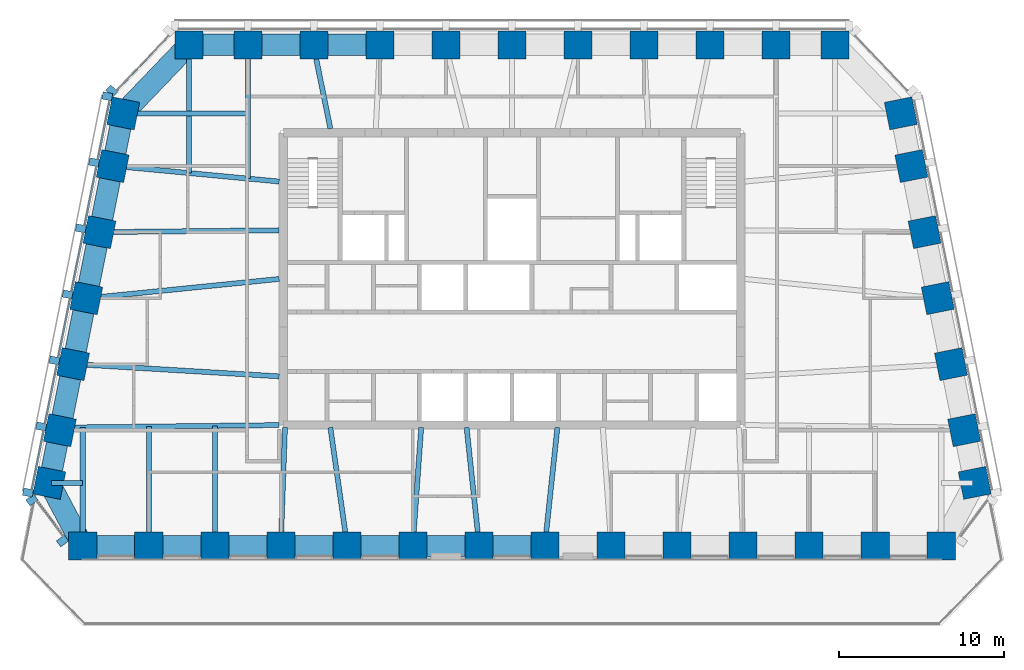
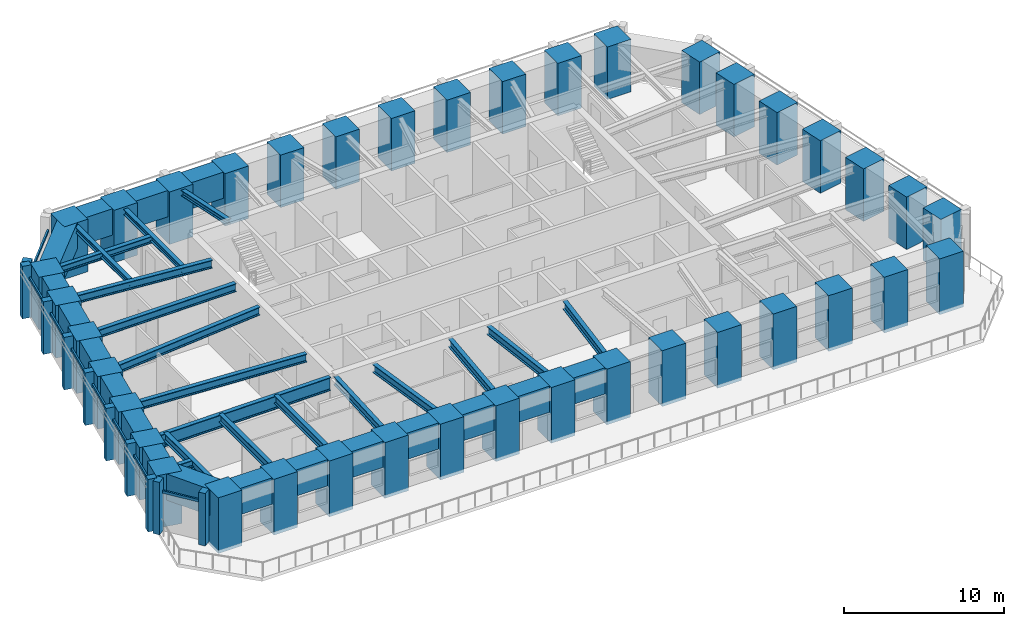
# One storey, part 1 of 10: 39 columns, 36 beams, 18 members, 3 elements without a shape of their own.
"""IFC4 building model written with IfcOpenShell, lengths in metres."""

from ifc_helpers import new_model, si_unit, direction, frame, origin, origin_2d, place, context, subcontext, project, spatial, rectangle, i_section, extrude, material, material_profile, profile_set, type_object, element, aggregate, save


model = new_model("IFC4")

# Units and contexts
model_context = context("Model", 3, precision=1e-05, world=origin(), true_north=direction((0.0, 1.0)))
body_context = subcontext(model_context, "Body", "Model", "MODEL_VIEW")
ifc_project = project(units=[si_unit("LENGTHUNIT", "METRE"), si_unit("AREAUNIT", "SQUARE_METRE"), si_unit("VOLUMEUNIT", "CUBIC_METRE"), si_unit("PLANEANGLEUNIT", "RADIAN"), si_unit("MASSUNIT", "GRAM", prefix="KILO")], contexts=[model_context])

# Site, building, storey
site_placement = place(None, origin())
site = spatial("IfcSite", under=ifc_project, at=site_placement, CompositionType="ELEMENT")
building_placement = place(site_placement, origin())
building = spatial("IfcBuilding", under=site, at=building_placement, Name="Isbrekke Arena Tower", CompositionType="ELEMENT")
storey_placement = place(building_placement, frame((0.0, 0.0, 296.0)))
storey = spatial("IfcBuildingStorey", under=building, at=storey_placement, Name="L69", CompositionType="ELEMENT", Elevation=296.0)

# Columns
ifc_material_1 = material(Name="Concrete B55 (C55/67)", Category="concrete")
ifc_material_profile_1 = material_profile(ifc_material_1, rectangle(XDim=1.699951171875, YDim=1.699951171875, at=origin_2d()), Name="RC 1700x1700")
ifc_profile_set_1 = profile_set([ifc_material_profile_1], Name="Concrete B55 (C55/67)")
column_type = type_object("IfcColumnType", Name="C5 RC 1700 x 1700", PredefinedType="COLUMN", material=ifc_profile_set_1)
for number, where, z_axis, x_axis, name in (
    (1, (-26.0, -1.175048828125, -0.25), (0.0, 0.0, 1.0), (1.0, 0.0, 0.0), "C5 S01"),
    (2, (-22.0, -1.175048828125, -0.25), (0.0, 0.0, 1.0), (1.0, 0.0, 0.0), "C5 S02"),
    (3, (-18.0, -1.175048828125, -0.25), (0.0, 0.0, 1.0), (1.0, 0.0, 0.0), "C5 S03"),
    (4, (-14.0, -1.175048828125, -0.25), (0.0, 0.0, 1.0), (1.0, 0.0, 0.0), "C5 S04"),
    (5, (-10.0, -1.175048828125, -0.25), (0.0, 0.0, 1.0), (1.0, 0.0, 0.0), "C5 S05"),
    (6, (-6.0, -1.175048828125, -0.25), (0.0, 0.0, 1.0), (1.0, 0.0, 0.0), "C5 S06"),
    (7, (-2.0, -1.175048828125, -0.25), (0.0, 0.0, 1.0), (1.0, 0.0, 0.0), "C5 S07"),
    (8, (2.0, -1.175048828125, -0.25), (0.0, 0.0, 1.0), (1.0, 0.0, 0.0), "C5 S08"),
    (9, (6.0, -1.175048828125, -0.25), (0.0, 0.0, 1.0), (1.0, 0.0, 0.0), "C5 S09"),
    (10, (10.0, -1.175048828125, -0.25), (0.0, 0.0, 1.0), (1.0, 0.0, 0.0), "C5 S10"),
    (11, (14.0, -1.175048828125, -0.25), (0.0, 0.0, 1.0), (1.0, 0.0, 0.0), "C5 S11"),
    (12, (18.0, -1.175048828125, -0.25), (0.0, 0.0, 1.0), (1.0, 0.0, 0.0), "C5 S12"),
    (13, (22.0, -1.175048828125, -0.25), (0.0, 0.0, 1.0), (1.0, 0.0, 0.0), "C5 S13"),
    (14, (26.0, -1.175048828125, -0.25), (0.0, 0.0, 1.0), (1.0, 0.0, 0.0), "C5 S14"),
):
    element("IfcColumn", number, at=place(storey_placement, frame(where, z_axis=z_axis, x_axis=x_axis)), inside=storey, type_object=column_type, Name=name, PredefinedType="COLUMN", context=body_context, shape_type="SweptSolid", body=[
        extrude(rectangle(XDim=1.699951171875, YDim=1.699951171875, at=origin_2d()), origin(), (0.0, 0.0, 1.0), 4.25),
    ])
for number, where, z_axis, x_axis, name in (
    (15, (28.029296875, 2.647216796875, 0.0), (0.0, 0.0, 1.0), (-0.196116135138, 0.980580675691, 0.0), "C5 E01"),
    (16, (27.39111328125, 5.838134765625, 0.0), (0.0, 0.0, 1.0), (-0.196116135138, 0.980580675691, 0.0), "C5 E02"),
    (17, (26.591064453125, 9.838134765625, 0.0), (0.0, 0.0, 1.0), (-0.196116135138, 0.980580675691, 0.0), "C5 E03"),
    (18, (25.791015625, 13.838134765625, 0.0), (0.0, 0.0, 1.0), (-0.196116135138, 0.980580675691, 0.0), "C5 E04"),
    (19, (24.990966796875, 17.838134765625, 0.0), (0.0, 0.0, 1.0), (-0.196116135138, 0.980580675691, 0.0), "C5 E05"),
    (20, (24.19091796875, 21.838134765625, 0.0), (0.0, 0.0, 1.0), (-0.196116135138, 0.980580675691, 0.0), "C5 E06"),
    (21, (23.552734375, 25.029296875, 0.0), (0.0, 0.0, 1.0), (-0.196116135138, 0.980580675691, 0.0), "C5 E07"),
    (22, (19.574951171875, 29.175048828125, 0.0), (0.0, 0.0, 1.0), (-1.0, 0.0, 0.0), "C5 N01"),
    (23, (16.0, 29.175048828125, 0.0), (0.0, 0.0, 1.0), (-1.0, 0.0, 0.0), "C5 N02"),
    (24, (12.0, 29.175048828125, 0.0), (0.0, 0.0, 1.0), (-1.0, 0.0, 0.0), "C5 N03"),
    (25, (8.0, 29.175048828125, 0.0), (0.0, 0.0, 1.0), (-1.0, 0.0, 0.0), "C5 N04"),
    (26, (4.0, 29.175048828125, 0.0), (0.0, 0.0, 1.0), (-1.0, 0.0, 0.0), "C5 N05"),
    (27, (0.0, 29.175048828125, 0.0), (0.0, 0.0, 1.0), (-1.0, 0.0, 0.0), "C5 N06"),
    (28, (-4.0, 29.175048828125, 0.0), (0.0, 0.0, 1.0), (-1.0, 0.0, 0.0), "C5 N07"),
    (29, (-8.0, 29.175048828125, 0.0), (0.0, 0.0, 1.0), (-1.0, 0.0, 0.0), "C5 N08"),
    (30, (-12.0, 29.175048828125, 0.0), (0.0, 0.0, 1.0), (-1.0, 0.0, 0.0), "C5 N09"),
    (31, (-16.0, 29.175048828125, 0.0), (0.0, 0.0, 1.0), (-1.0, 0.0, 0.0), "C5 N10"),
    (32, (-19.574951171875, 29.175048828125, 0.0), (0.0, 0.0, 1.0), (-1.0, 0.0, 0.0), "C5 N11"),
    (33, (-23.552734375, 25.029296875, 0.0), (0.0, 0.0, 1.0), (-0.196116135138, -0.980580675691, 0.0), "C5 W01"),
    (34, (-24.19091796875, 21.838134765625, 0.0), (0.0, 0.0, 1.0), (-0.196116135138, -0.980580675691, 0.0), "C5 W02"),
    (35, (-24.990966796875, 17.838134765625, 0.0), (0.0, 0.0, 1.0), (-0.196116135138, -0.980580675691, 0.0), "C5 W03"),
    (36, (-25.791015625, 13.838134765625, 0.0), (0.0, 0.0, 1.0), (-0.196116135138, -0.980580675691, 0.0), "C5 W04"),
    (37, (-26.591064453125, 9.838134765625, 0.0), (0.0, 0.0, 1.0), (-0.196116135138, -0.980580675691, 0.0), "C5 W05"),
    (38, (-27.39111328125, 5.838134765625, 0.0), (0.0, 0.0, 1.0), (-0.196116135138, -0.980580675691, 0.0), "C5 W06"),
    (39, (-28.029296875, 2.647216796875, 0.0), (0.0, 0.0, 1.0), (-0.196116135138, -0.980580675691, 0.0), "C5 W07"),
):
    element("IfcColumn", number, at=place(storey_placement, frame(where, z_axis=z_axis, x_axis=x_axis)), inside=storey, type_object=column_type, Name=name, PredefinedType="COLUMN", context=body_context, shape_type="SweptSolid", body=[
        extrude(rectangle(XDim=1.699951171875, YDim=1.699951171875, at=origin_2d()), origin(), (0.0, 0.0, 1.0), 4.0),
    ])

# Beams
ifc_material_2 = material(Name="Steel S355", Category="steel")
ifc_material_profile_2 = material_profile(ifc_material_2, i_section(OverallWidth=0.304931640625, OverallDepth=0.6201171875, WebThickness=0.02099609375, FlangeThickness=0.0400390625, FilletRadius=0.027099609375, at=origin_2d()), Name="HEM 600")
ifc_profile_set_2 = profile_set([ifc_material_profile_2], Name="Steel S355")
beam_type_1 = type_object("IfcBeamType", Name="B4 HEM 600", PredefinedType="BEAM", material=ifc_profile_set_2)
beam_1_placement = place(storey_placement, frame((-26.0, -1.02490234375, 3.5400390625), z_axis=(0.0, 1.0, 0.0), x_axis=(-1.0, 0.0, 0.0)))
element("IfcBeam", 40, at=beam_1_placement, inside=storey, type_object=beam_type_1, Name="B4 beam C-S01 L69", PredefinedType="BEAM", context=body_context, shape_type="SweptSolid", body=[
    extrude(i_section(OverallWidth=0.304931640625, OverallDepth=0.6201171875, WebThickness=0.02099609375, FlangeThickness=0.0400390625, FilletRadius=0.027099609375, at=origin_2d()), origin(), (0.0, 0.0, 1.0), 7.04052734375),
])
beam_2_placement = place(storey_placement, frame((-22.0, -1.02490234375, 3.5400390625), z_axis=(0.0, 1.0, 0.0), x_axis=(-1.0, 0.0, 0.0)))
element("IfcBeam", 41, at=beam_2_placement, inside=storey, type_object=beam_type_1, Name="B4 beam C-S02 L69", PredefinedType="BEAM", context=body_context, shape_type="SweptSolid", body=[
    extrude(i_section(OverallWidth=0.304931640625, OverallDepth=0.6201171875, WebThickness=0.02099609375, FlangeThickness=0.0400390625, FilletRadius=0.027099609375, at=origin_2d()), origin(), (0.0, 0.0, 1.0), 7.085693359375),
])
beam_3_placement = place(storey_placement, frame((-18.0, -1.02490234375, 3.5400390625), z_axis=(0.0, 1.0, 0.0), x_axis=(-1.0, 0.0, 0.0)))
element("IfcBeam", 42, at=beam_3_placement, inside=storey, type_object=beam_type_1, Name="B4 beam C-S03 L69", PredefinedType="BEAM", context=body_context, shape_type="SweptSolid", body=[
    extrude(i_section(OverallWidth=0.304931640625, OverallDepth=0.6201171875, WebThickness=0.02099609375, FlangeThickness=0.0400390625, FilletRadius=0.027099609375, at=origin_2d()), origin(), (0.0, 0.0, 1.0), 7.130859375),
])
beam_4_placement = place(storey_placement, frame((-13.999755859375, -1.01953125, 3.5400390625), z_axis=(0.035557633654, 0.999367627397, 0.0), x_axis=(-0.999367627397, 0.035557633654, 0.0)))
element("IfcBeam", 43, at=beam_4_placement, inside=storey, type_object=beam_type_1, Name="B4 beam C-S04 L69", PredefinedType="BEAM", context=body_context, shape_type="SweptSolid", body=[
    extrude(i_section(OverallWidth=0.304931640625, OverallDepth=0.6201171875, WebThickness=0.02099609375, FlangeThickness=0.0400390625, FilletRadius=0.027099609375, at=origin_2d()), origin(), (0.0, 0.0, 1.0), 7.02392578125),
])
beam_5_placement = place(storey_placement, frame((-10.0029296875, -1.003662109375, 3.5400390625), z_axis=(-0.140943016954, 0.990017709928, 0.0), x_axis=(-0.990017709928, -0.140943016954, 0.0)))
element("IfcBeam", 44, at=beam_5_placement, inside=storey, type_object=beam_type_1, Name="B4 beam C-S05 L69", PredefinedType="BEAM", context=body_context, shape_type="SweptSolid", body=[
    extrude(i_section(OverallWidth=0.304931640625, OverallDepth=0.6201171875, WebThickness=0.02099609375, FlangeThickness=0.0400390625, FilletRadius=0.027099609375, at=origin_2d()), origin(), (0.0, 0.0, 1.0), 7.07421875),
])
beam_6_placement = place(storey_placement, frame((-5.999267578125, -1.01416015625, 3.5400390625), z_axis=(0.071000313941, 0.997476293162, 0.0), x_axis=(-0.997476293162, 0.071000313941, 0.0)))
element("IfcBeam", 45, at=beam_6_placement, inside=storey, type_object=beam_type_1, Name="B4 beam C-S06 L69", PredefinedType="BEAM", context=body_context, shape_type="SweptSolid", body=[
    extrude(i_section(OverallWidth=0.304931640625, OverallDepth=0.6201171875, WebThickness=0.02099609375, FlangeThickness=0.0400390625, FilletRadius=0.027099609375, at=origin_2d()), origin(), (0.0, 0.0, 1.0), 7.031982421875),
])
for number, where, z_axis, x_axis, name in (
    (46, (-2.001708984375, -1.0087890625, 3.5400390625), (-0.106161329105, 0.994348918742, 0.0), (-0.994348918742, -0.106161329105, 0.0), "B4 beam C-S07 L69"),
    (47, (2.001708984375, -1.0087890625, 3.5400390625), (0.106161329105, 0.994348918742, 0.0), (-0.994348918742, 0.106161329105, 0.0), "B4 beam C-S08 L69"),
):
    element("IfcBeam", number, at=place(storey_placement, frame(where, z_axis=z_axis, x_axis=x_axis)), inside=storey, type_object=beam_type_1, Name=name, PredefinedType="BEAM", context=body_context, shape_type="SweptSolid", body=[
        extrude(i_section(OverallWidth=0.304931640625, OverallDepth=0.6201171875, WebThickness=0.02099609375, FlangeThickness=0.0400390625, FilletRadius=0.027099609375, at=origin_2d()), origin(), (0.0, 0.0, 1.0), 7.048583984375),
    ])
beam_7_placement = place(storey_placement, frame((-24.02685546875, 21.8369140625, 3.5400390625), z_axis=(0.995574576627, -0.093974796485, 0.0), x_axis=(0.093974796485, 0.995574576627, 0.0)))
element("IfcBeam", 48, at=beam_7_placement, inside=storey, type_object=beam_type_1, Name="B4 beam E-W02 L69", PredefinedType="BEAM", context=body_context, shape_type="SweptSolid", body=[
    extrude(i_section(OverallWidth=0.304931640625, OverallDepth=0.6201171875, WebThickness=0.02099609375, FlangeThickness=0.0400390625, FilletRadius=0.027099609375, at=origin_2d()), origin(), (0.0, 0.0, 1.0), 9.970947265625),
])
beam_8_placement = place(storey_placement, frame((-24.83935546875, 17.838134765625, 3.5400390625), z_axis=(0.999945800258, 0.010411366203, 0.0), x_axis=(-0.010411366203, 0.999945800258, 0.0)))
element("IfcBeam", 49, at=beam_8_placement, inside=storey, type_object=beam_type_1, Name="B4 beam E-W03 L69", PredefinedType="BEAM", context=body_context, shape_type="SweptSolid", body=[
    extrude(i_section(OverallWidth=0.304931640625, OverallDepth=0.6201171875, WebThickness=0.02099609375, FlangeThickness=0.0400390625, FilletRadius=0.027099609375, at=origin_2d()), origin(), (0.0, 0.0, 1.0), 10.73974609375),
])
beam_9_placement = place(storey_placement, frame((-25.625732421875, 13.83984375, 3.5400390625), z_axis=(0.994972081505, 0.100152668587, 0.0), x_axis=(-0.100152668587, 0.994972081505, 0.0)))
element("IfcBeam", 50, at=beam_9_placement, inside=storey, type_object=beam_type_1, Name="B4 beam E-W04 L69", PredefinedType="BEAM", context=body_context, shape_type="SweptSolid", body=[
    extrude(i_section(OverallWidth=0.304931640625, OverallDepth=0.6201171875, WebThickness=0.02099609375, FlangeThickness=0.0400390625, FilletRadius=0.027099609375, at=origin_2d()), origin(), (0.0, 0.0, 1.0), 11.583984375),
])
beam_10_placement = place(storey_placement, frame((-26.431884765625, 9.837646484375, 3.5400390625), z_axis=(0.998216240514, -0.059702070095, 0.0), x_axis=(0.059702070095, 0.998216240514, 0.0)))
element("IfcBeam", 51, at=beam_10_placement, inside=storey, type_object=beam_type_1, Name="B4 beam E-W05 L69", PredefinedType="BEAM", context=body_context, shape_type="SweptSolid", body=[
    extrude(i_section(OverallWidth=0.304931640625, OverallDepth=0.6201171875, WebThickness=0.02099609375, FlangeThickness=0.0400390625, FilletRadius=0.027099609375, at=origin_2d()), origin(), (0.0, 0.0, 1.0), 12.353759765625),
])
ifc_material_3 = material(Name="Steel S355", Category="steel")
ifc_material_profile_3 = material_profile(ifc_material_3, i_section(OverallWidth=0.305908203125, OverallDepth=0.52392578125, WebThickness=0.02099609375, FlangeThickness=0.0400390625, FilletRadius=0.027099609375, at=origin_2d()), Name="HEM 500")
ifc_profile_set_3 = profile_set([ifc_material_profile_3], Name="Steel S355")
beam_type_2 = type_object("IfcBeamType", Name="B5 HEM 500", PredefinedType="BEAM", material=ifc_profile_set_3)
beam_11_placement = place(storey_placement, frame((-27.879150390625, 2.647216796875, 3.587890625), z_axis=(1.0, 0.0, 0.0), x_axis=(0.0, 1.0, 0.0)))
element("IfcBeam", 52, at=beam_11_placement, inside=storey, type_object=beam_type_2, Name="B5 beam E-W07 L69", PredefinedType="BEAM", context=body_context, shape_type="SweptSolid", body=[
    extrude(i_section(OverallWidth=0.305908203125, OverallDepth=0.52392578125, WebThickness=0.02099609375, FlangeThickness=0.0400390625, FilletRadius=0.027099609375, at=origin_2d()), origin(), (0.0, 0.0, 1.0), 1.879150390625),
])
beam_12_placement = place(storey_placement, frame((-23.40283203125, 25.029296875, 3.587890625), z_axis=(1.0, 0.0, 0.0), x_axis=(0.0, 1.0, 0.0)))
element("IfcBeam", 53, at=beam_12_placement, inside=storey, type_object=beam_type_2, Name="B5 beam E-W01 L69", PredefinedType="BEAM", context=body_context, shape_type="SweptSolid", body=[
    extrude(i_section(OverallWidth=0.305908203125, OverallDepth=0.52392578125, WebThickness=0.02099609375, FlangeThickness=0.0400390625, FilletRadius=0.027099609375, at=origin_2d()), origin(), (0.0, 0.0, 1.0), 7.40283203125),
])
ifc_material_4 = material(Name="Steel S355", Category="steel")
ifc_material_profile_4 = material_profile(ifc_material_4, i_section(OverallWidth=0.306884765625, OverallDepth=0.431884765625, WebThickness=0.02099609375, FlangeThickness=0.0400390625, FilletRadius=0.027099609375, at=origin_2d()), Name="HEM 400")
ifc_profile_set_4 = profile_set([ifc_material_profile_4], Name="Steel S355")
beam_type_3 = type_object("IfcBeamType", Name="B6 HEM 400", PredefinedType="BEAM", material=ifc_profile_set_4)
beam_13_placement = place(storey_placement, frame((-16.0, 29.02490234375, 3.634033203125), z_axis=(0.0, -1.0, 0.0), x_axis=(1.0, 0.0, 0.0)))
element("IfcBeam", 54, at=beam_13_placement, inside=storey, type_object=beam_type_3, Name="B6 beam N-N10 L69", PredefinedType="BEAM", context=body_context, shape_type="SweptSolid", body=[
    extrude(i_section(OverallWidth=0.306884765625, OverallDepth=0.431884765625, WebThickness=0.02099609375, FlangeThickness=0.0400390625, FilletRadius=0.027099609375, at=origin_2d()), origin(), (0.0, 0.0, 1.0), 7.945556640625),
])
beam_14_placement = place(storey_placement, frame((-19.574951171875, 29.02490234375, 3.634033203125), z_axis=(0.0, -1.0, 0.0), x_axis=(1.0, 0.0, 0.0)))
element("IfcBeam", 55, at=beam_14_placement, inside=storey, type_object=beam_type_3, Name="B6 beam N-N11 L69", PredefinedType="BEAM", context=body_context, shape_type="SweptSolid", body=[
    extrude(i_section(OverallWidth=0.306884765625, OverallDepth=0.431884765625, WebThickness=0.02099609375, FlangeThickness=0.0400390625, FilletRadius=0.027099609375, at=origin_2d()), origin(), (0.0, 0.0, 1.0), 7.608154296875),
])
beam_15_placement = place(storey_placement, frame((-11.993896484375, 28.9951171875, 3.634033203125), z_axis=(0.198982177337, -0.980003108721, 0.0), x_axis=(0.980003108721, 0.198982177337, 0.0)))
element("IfcBeam", 56, at=beam_15_placement, inside=storey, type_object=beam_type_3, Name="B6 beam N-N09 L69", PredefinedType="BEAM", context=body_context, shape_type="SweptSolid", body=[
    extrude(i_section(OverallWidth=0.306884765625, OverallDepth=0.431884765625, WebThickness=0.02099609375, FlangeThickness=0.0400390625, FilletRadius=0.027099609375, at=origin_2d()), origin(), (0.0, 0.0, 1.0), 4.994873046875),
])

# Curtain wall, member
ifc_material_5 = material(Name="Glazed aluminium curtain wall", Category="aluminium")
curtain_wall_type = type_object("IfcCurtainWallType", Name="CWT TOWER CURTAIN WALL TOP ZONE", PredefinedType="USERDEFINED", material=ifc_material_5)
curtain_wall_1_placement = place(storey_placement, origin())
curtain_wall_1 = element("IfcCurtainWall", 57, at=curtain_wall_1_placement, inside=storey, type_object=curtain_wall_type, Name="CWT curtain wall L69-NW", ObjectType="TOWER CURTAIN WALL TOP ZONE", PredefinedType="USERDEFINED")
ifc_material_6 = material(Name="Copper-clad aluminium mullion", Category="aluminium")
ifc_material_profile_5 = material_profile(ifc_material_6, rectangle(XDim=0.449951171875, YDim=0.60009765625, at=origin_2d()), Name="PIER 450X600")
ifc_profile_set_5 = profile_set([ifc_material_profile_5], Name="Copper-clad aluminium mullion")
member_type_1 = type_object("IfcMemberType", Name="CWT-M PIER MULLION 450 x 600", PredefinedType="MULLION", material=ifc_profile_set_5)
member_1_placement = place(storey_placement, frame((-24.243896484375, 26.389404296875, 0.0), z_axis=(0.0, 0.0, 1.0), x_axis=(-0.68874946192, -0.72499943359, 0.0)))
member_1 = element("IfcMember", 58, at=member_1_placement, type_object=member_type_1, Name="CWT-M mullion 2", PredefinedType="MULLION", context=body_context, shape_type="SweptSolid", body=[
    extrude(rectangle(XDim=0.449951171875, YDim=0.60009765625, at=origin_2d()), origin(), (0.0, 0.0, 1.0), 4.0),
])

# Curtain wall, members
curtain_wall_2_placement = place(storey_placement, origin())
curtain_wall_2 = element("IfcCurtainWall", 59, at=curtain_wall_2_placement, inside=storey, type_object=curtain_wall_type, Name="CWT curtain wall L69-W", ObjectType="TOWER CURTAIN WALL TOP ZONE", PredefinedType="USERDEFINED")
member_2_placement = place(storey_placement, frame((-24.518798828125, 26.063720703125, 0.0), z_axis=(0.0, 0.0, 1.0), x_axis=(-0.196116135138, -0.980580675691, 0.0)))
member_2 = element("IfcMember", 60, at=member_2_placement, type_object=member_type_1, Name="CWT-M mullion 1", PredefinedType="MULLION", context=body_context, shape_type="SweptSolid", body=[
    extrude(rectangle(XDim=0.449951171875, YDim=0.60009765625, at=origin_2d()), origin(), (0.0, 0.0, 1.0), 4.0),
])
member_3_placement = place(storey_placement, frame((-25.318603515625, 22.063720703125, 0.0), z_axis=(0.0, 0.0, 1.0), x_axis=(-0.196116135138, -0.980580675691, 0.0)))
member_3 = element("IfcMember", 61, at=member_3_placement, type_object=member_type_1, Name="CWT-M mullion 2", PredefinedType="MULLION", context=body_context, shape_type="SweptSolid", body=[
    extrude(rectangle(XDim=0.449951171875, YDim=0.60009765625, at=origin_2d()), origin(), (0.0, 0.0, 1.0), 4.0),
])
member_4_placement = place(storey_placement, frame((-26.11865234375, 18.063720703125, 0.0), z_axis=(0.0, 0.0, 1.0), x_axis=(-0.196116135138, -0.980580675691, 0.0)))
member_4 = element("IfcMember", 62, at=member_4_placement, type_object=member_type_1, Name="CWT-M mullion 3", PredefinedType="MULLION", context=body_context, shape_type="SweptSolid", body=[
    extrude(rectangle(XDim=0.449951171875, YDim=0.60009765625, at=origin_2d()), origin(), (0.0, 0.0, 1.0), 4.0),
])
member_5_placement = place(storey_placement, frame((-26.918701171875, 14.063720703125, 0.0), z_axis=(0.0, 0.0, 1.0), x_axis=(-0.196116135138, -0.980580675691, 0.0)))
member_5 = element("IfcMember", 63, at=member_5_placement, type_object=member_type_1, Name="CWT-M mullion 4", PredefinedType="MULLION", context=body_context, shape_type="SweptSolid", body=[
    extrude(rectangle(XDim=0.449951171875, YDim=0.60009765625, at=origin_2d()), origin(), (0.0, 0.0, 1.0), 4.0),
])
member_6_placement = place(storey_placement, frame((-27.71875, 10.063720703125, 0.0), z_axis=(0.0, 0.0, 1.0), x_axis=(-0.196116135138, -0.980580675691, 0.0)))
member_6 = element("IfcMember", 64, at=member_6_placement, type_object=member_type_1, Name="CWT-M mullion 5", PredefinedType="MULLION", context=body_context, shape_type="SweptSolid", body=[
    extrude(rectangle(XDim=0.449951171875, YDim=0.60009765625, at=origin_2d()), origin(), (0.0, 0.0, 1.0), 4.0),
])
member_7_placement = place(storey_placement, frame((-28.518798828125, 6.063720703125, 0.0), z_axis=(0.0, 0.0, 1.0), x_axis=(-0.196116135138, -0.980580675691, 0.0)))
member_7 = element("IfcMember", 65, at=member_7_placement, type_object=member_type_1, Name="CWT-M mullion 6", PredefinedType="MULLION", context=body_context, shape_type="SweptSolid", body=[
    extrude(rectangle(XDim=0.449951171875, YDim=0.60009765625, at=origin_2d()), origin(), (0.0, 0.0, 1.0), 4.0),
])
member_8_placement = place(storey_placement, frame((-29.318603515625, 2.063720703125, 0.0), z_axis=(0.0, 0.0, 1.0), x_axis=(-0.196116135138, -0.980580675691, 0.0)))
member_8 = element("IfcMember", 66, at=member_8_placement, type_object=member_type_1, Name="CWT-M mullion 7", PredefinedType="MULLION", context=body_context, shape_type="SweptSolid", body=[
    extrude(rectangle(XDim=0.449951171875, YDim=0.60009765625, at=origin_2d()), origin(), (0.0, 0.0, 1.0), 4.0),
])

curtain_wall_3_placement = place(storey_placement, origin())
curtain_wall_3 = element("IfcCurtainWall", 67, at=curtain_wall_3_placement, inside=storey, type_object=curtain_wall_type, Name="CWT curtain wall L69-WS", ObjectType="TOWER CURTAIN WALL TOP ZONE", PredefinedType="USERDEFINED")
member_9_placement = place(storey_placement, frame((-29.08447265625, 1.612548828125, 0.0), z_axis=(0.0, 0.0, 1.0), x_axis=(0.600000000002, -0.799999999998, 0.0)))
member_9 = element("IfcMember", 68, at=member_9_placement, type_object=member_type_1, Name="CWT-M mullion 1", PredefinedType="MULLION", context=body_context, shape_type="SweptSolid", body=[
    extrude(rectangle(XDim=0.449951171875, YDim=0.60009765625, at=origin_2d()), origin(), (0.0, 0.0, 1.0), 4.0),
])
member_10_placement = place(storey_placement, frame((-27.222412109375, -0.8701171875, 0.0), z_axis=(0.0, 0.0, 1.0), x_axis=(0.600000000002, -0.799999999998, 0.0)))
member_10 = element("IfcMember", 69, at=member_10_placement, type_object=member_type_1, Name="CWT-M mullion 2", PredefinedType="MULLION", context=body_context, shape_type="SweptSolid", body=[
    extrude(rectangle(XDim=0.449951171875, YDim=0.60009765625, at=origin_2d()), origin(), (0.0, 0.0, 1.0), 4.0),
])

# Member
ifc_material_7 = material(Name="Aluminium transom", Category="aluminium")
ifc_material_profile_6 = material_profile(ifc_material_7, rectangle(XDim=0.1201171875, YDim=0.199951171875, at=origin_2d()), Name="TRANSOM 120X200")
ifc_profile_set_6 = profile_set([ifc_material_profile_6], Name="Aluminium transom")
member_type_2 = type_object("IfcMemberType", Name="CWT-T TRANSOM 120 x 200", PredefinedType="USERDEFINED", material=ifc_profile_set_6)
member_11_placement = place(storey_placement, frame((-20.80517578125, 29.71875, 3.0), z_axis=(-0.688739606035, -0.725008796552, 0.0), x_axis=(0.725008796552, -0.688739606035, 0.0)))
member_11 = element("IfcMember", 70, at=member_11_placement, type_object=member_type_2, Name="CWT-T transom 1", ObjectType="TRANSOM", PredefinedType="USERDEFINED", context=body_context, shape_type="SweptSolid", body=[
    extrude(rectangle(XDim=0.1201171875, YDim=0.199951171875, at=origin_2d()), origin(), (0.0, 0.0, 1.0), 4.55712890625),
])

aggregate(curtain_wall_1, [member_1, member_11])

member_12_placement = place(storey_placement, frame((-24.36669921875, 25.803955078125, 3.0), z_axis=(-0.196090262229, -0.980585849918, 0.0), x_axis=(0.980585849918, -0.196090262229, 0.0)))
member_12 = element("IfcMember", 71, at=member_12_placement, type_object=member_type_2, Name="CWT-T transom 1", ObjectType="TRANSOM", PredefinedType="USERDEFINED", context=body_context, shape_type="SweptSolid", body=[
    extrude(rectangle(XDim=0.1201171875, YDim=0.199951171875, at=origin_2d()), origin(), (0.0, 0.0, 1.0), 3.62939453125),
])

member_13_placement = place(storey_placement, frame((-25.166748046875, 21.803955078125, 3.0), z_axis=(-0.196090262229, -0.980585849918, 0.0), x_axis=(0.980585849918, -0.196090262229, 0.0)))
member_13 = element("IfcMember", 72, at=member_13_placement, type_object=member_type_2, Name="CWT-T transom 2", ObjectType="TRANSOM", PredefinedType="USERDEFINED", context=body_context, shape_type="SweptSolid", body=[
    extrude(rectangle(XDim=0.1201171875, YDim=0.199951171875, at=origin_2d()), origin(), (0.0, 0.0, 1.0), 3.62939453125),
])

member_14_placement = place(storey_placement, frame((-25.966796875, 17.803955078125, 3.0), z_axis=(-0.196090262229, -0.980585849918, 0.0), x_axis=(0.980585849918, -0.196090262229, 0.0)))
member_14 = element("IfcMember", 73, at=member_14_placement, type_object=member_type_2, Name="CWT-T transom 3", ObjectType="TRANSOM", PredefinedType="USERDEFINED", context=body_context, shape_type="SweptSolid", body=[
    extrude(rectangle(XDim=0.1201171875, YDim=0.199951171875, at=origin_2d()), origin(), (0.0, 0.0, 1.0), 3.62939453125),
])

member_15_placement = place(storey_placement, frame((-26.7666015625, 13.803955078125, 3.0), z_axis=(-0.196154943734, -0.980572913173, 0.0), x_axis=(0.980572913173, -0.196154943734, 0.0)))
member_15 = element("IfcMember", 74, at=member_15_placement, type_object=member_type_2, Name="CWT-T transom 4", ObjectType="TRANSOM", PredefinedType="USERDEFINED", context=body_context, shape_type="SweptSolid", body=[
    extrude(rectangle(XDim=0.1201171875, YDim=0.199951171875, at=origin_2d()), origin(), (0.0, 0.0, 1.0), 3.62939453125),
])

member_16_placement = place(storey_placement, frame((-27.566650390625, 9.803955078125, 3.0), z_axis=(-0.196154943734, -0.980572913173, 0.0), x_axis=(0.980572913173, -0.196154943734, 0.0)))
member_16 = element("IfcMember", 75, at=member_16_placement, type_object=member_type_2, Name="CWT-T transom 5", ObjectType="TRANSOM", PredefinedType="USERDEFINED", context=body_context, shape_type="SweptSolid", body=[
    extrude(rectangle(XDim=0.1201171875, YDim=0.199951171875, at=origin_2d()), origin(), (0.0, 0.0, 1.0), 3.62939453125),
])

member_17_placement = place(storey_placement, frame((-28.36669921875, 5.803955078125, 3.0), z_axis=(-0.196090262229, -0.980585849918, 0.0), x_axis=(0.980585849918, -0.196090262229, 0.0)))
member_17 = element("IfcMember", 76, at=member_17_placement, type_object=member_type_2, Name="CWT-T transom 6", ObjectType="TRANSOM", PredefinedType="USERDEFINED", context=body_context, shape_type="SweptSolid", body=[
    extrude(rectangle(XDim=0.1201171875, YDim=0.199951171875, at=origin_2d()), origin(), (0.0, 0.0, 1.0), 3.62939453125),
])

aggregate(curtain_wall_2, [member_2, member_3, member_4, member_5, member_6, member_7, member_8, member_12, member_13, member_14, member_15, member_16, member_17])

member_18_placement = place(storey_placement, frame((-28.78955078125, 1.552734375, 3.0), z_axis=(0.6, -0.8, 0.0), x_axis=(0.8, 0.6, 0.0)))
member_18 = element("IfcMember", 77, at=member_18_placement, type_object=member_type_2, Name="CWT-T transom 1", ObjectType="TRANSOM", PredefinedType="USERDEFINED", context=body_context, shape_type="SweptSolid", body=[
    extrude(rectangle(XDim=0.1201171875, YDim=0.199951171875, at=origin_2d()), origin(), (0.0, 0.0, 1.0), 2.65380859375),
])

aggregate(curtain_wall_3, [member_9, member_10, member_18])

# Beams
ifc_material_8 = material(Name="Steel S355", Category="steel")
ifc_material_profile_7 = material_profile(ifc_material_8, i_section(OverallWidth=0.302001953125, OverallDepth=1.008056640625, WebThickness=0.02099609375, FlangeThickness=0.0400390625, FilletRadius=0.030029296875, at=origin_2d()), Name="HEM 1000")
ifc_profile_set_7 = profile_set([ifc_material_profile_7], Name="Steel S355")
beam_type_4 = type_object("IfcBeamType", Name="G2 HEM 1000", PredefinedType="BEAM", material=ifc_profile_set_7)
beam_16_placement = place(storey_placement, frame((-14.10009765625, 6.14990234375, 3.345947265625), z_axis=(-0.999936387749, -0.011279204565, 0.0), x_axis=(0.011279204565, -0.999936387749, 0.0)))
element("IfcBeam", 78, at=beam_16_placement, inside=storey, type_object=beam_type_4, Name="G2 beam G2-W L69", PredefinedType="BEAM", context=body_context, shape_type="SweptSolid", body=[
    extrude(i_section(OverallWidth=0.302001953125, OverallDepth=1.008056640625, WebThickness=0.02099609375, FlangeThickness=0.0400390625, FilletRadius=0.030029296875, at=origin_2d()), origin(), (0.0, 0.0, 1.0), 13.2900390625),
])
ifc_material_9 = material(Name="Concrete B55 (C55/67)", Category="concrete")
ifc_material_profile_8 = material_profile(ifc_material_9, rectangle(XDim=1.300048828125, YDim=2.0, at=origin_2d()), Name="RC 1300x2000")
ifc_profile_set_8 = profile_set([ifc_material_profile_8], Name="Concrete B55 (C55/67)")
beam_type_5 = type_object("IfcBeamType", Name="SB4 RC 1300 x 2000", PredefinedType="SPANDREL", material=ifc_profile_set_8)
for number, where, z_axis, x_axis, name in (
    (79, (-25.85009765625, -1.175048828125, 3.0), (1.0, 0.0, 0.0), (0.0, 1.0, 0.0), "SB4 spandrel S01-S02 L69"),
    (80, (-21.85009765625, -1.175048828125, 3.0), (1.0, 0.0, 0.0), (0.0, 1.0, 0.0), "SB4 spandrel S02-S03 L69"),
    (81, (-17.85009765625, -1.175048828125, 3.0), (1.0, 0.0, 0.0), (0.0, 1.0, 0.0), "SB4 spandrel S03-S04 L69"),
    (82, (-13.85009765625, -1.175048828125, 3.0), (1.0, 0.0, 0.0), (0.0, 1.0, 0.0), "SB4 spandrel S04-S05 L69"),
    (83, (-9.85009765625, -1.175048828125, 3.0), (1.0, 0.0, 0.0), (0.0, 1.0, 0.0), "SB4 spandrel S05-S06 L69"),
    (84, (-5.85009765625, -1.175048828125, 3.0), (1.0, 0.0, 0.0), (0.0, 1.0, 0.0), "SB4 spandrel S06-S07 L69"),
    (85, (-1.85009765625, -1.175048828125, 3.0), (1.0, 0.0, 0.0), (0.0, 1.0, 0.0), "SB4 spandrel S07-S08 L69"),
    (86, (-8.14990234375, 29.175048828125, 3.0), (-1.0, 0.0, 0.0), (0.0, -1.0, 0.0), "SB4 spandrel N08-N09 L69"),
    (87, (-12.14990234375, 29.175048828125, 3.0), (-1.0, 0.0, 0.0), (0.0, -1.0, 0.0), "SB4 spandrel N09-N10 L69"),
):
    element("IfcBeam", number, at=place(storey_placement, frame(where, z_axis=z_axis, x_axis=x_axis)), inside=storey, type_object=beam_type_5, Name=name, PredefinedType="SPANDREL", context=body_context, shape_type="SweptSolid", body=[
        extrude(rectangle(XDim=1.300048828125, YDim=2.0, at=origin_2d()), origin(), (0.0, 0.0, 1.0), 3.7001953125),
    ])
beam_17_placement = place(storey_placement, frame((-16.14990234375, 29.175048828125, 3.0), z_axis=(-1.0, 0.0, 0.0), x_axis=(0.0, -1.0, 0.0)))
element("IfcBeam", 88, at=beam_17_placement, inside=storey, type_object=beam_type_5, Name="SB4 spandrel N10-N11 L69", PredefinedType="SPANDREL", context=body_context, shape_type="SweptSolid", body=[
    extrude(rectangle(XDim=1.300048828125, YDim=2.0, at=origin_2d()), origin(), (0.0, 0.0, 1.0), 3.275146484375),
])
beam_18_placement = place(storey_placement, frame((-19.678955078125, 29.066650390625, 3.0), z_axis=(-0.692339547635, -0.721571861134, 0.0), x_axis=(0.721571861134, -0.692339547635, 0.0)))
element("IfcBeam", 89, at=beam_18_placement, inside=storey, type_object=beam_type_5, Name="SB4 spandrel N11-W01 L69", PredefinedType="SPANDREL", context=body_context, shape_type="SweptSolid", body=[
    extrude(rectangle(XDim=1.300048828125, YDim=2.0, at=origin_2d()), origin(), (0.0, 0.0, 1.0), 5.4453125),
])
beam_19_placement = place(storey_placement, frame((-23.582275390625, 24.882080078125, 3.0), z_axis=(-0.196116135138, -0.980580675691, 0.0), x_axis=(0.980580675691, -0.196116135138, 0.0)))
element("IfcBeam", 90, at=beam_19_placement, inside=storey, type_object=beam_type_5, Name="SB4 spandrel W01-W02 L69", PredefinedType="SPANDREL", context=body_context, shape_type="SweptSolid", body=[
    extrude(rectangle(XDim=1.300048828125, YDim=2.0, at=origin_2d()), origin(), (0.0, 0.0, 1.0), 2.9541015625),
])
for number, where, z_axis, x_axis, name in (
    (91, (-24.220458984375, 21.691162109375, 3.0), (-0.196128558387, -0.980578190959, 0.0), (0.980578190959, -0.196128558387, 0.0), "SB4 spandrel W02-W03 L69"),
    (92, (-25.0205078125, 17.691162109375, 3.0), (-0.196128558387, -0.980578190959, 0.0), (0.980578190959, -0.196128558387, 0.0), "SB4 spandrel W03-W04 L69"),
):
    element("IfcBeam", number, at=place(storey_placement, frame(where, z_axis=z_axis, x_axis=x_axis)), inside=storey, type_object=beam_type_5, Name=name, PredefinedType="SPANDREL", context=body_context, shape_type="SweptSolid", body=[
        extrude(rectangle(XDim=1.300048828125, YDim=2.0, at=origin_2d()), origin(), (0.0, 0.0, 1.0), 3.779296875),
    ])
beam_20_placement = place(storey_placement, frame((-25.820556640625, 13.691162109375, 3.0), z_axis=(-0.1960664412, -0.980590613169, 0.0), x_axis=(0.980590613169, -0.1960664412, 0.0)))
element("IfcBeam", 93, at=beam_20_placement, inside=storey, type_object=beam_type_5, Name="SB4 spandrel W04-W05 L69", PredefinedType="SPANDREL", context=body_context, shape_type="SweptSolid", body=[
    extrude(rectangle(XDim=1.300048828125, YDim=2.0, at=origin_2d()), origin(), (0.0, 0.0, 1.0), 3.779052734375),
])
beam_21_placement = place(storey_placement, frame((-26.620361328125, 9.691162109375, 3.0), z_axis=(-0.196128558387, -0.980578190959, 0.0), x_axis=(0.980578190959, -0.196128558387, 0.0)))
element("IfcBeam", 94, at=beam_21_placement, inside=storey, type_object=beam_type_5, Name="SB4 spandrel W05-W06 L69", PredefinedType="SPANDREL", context=body_context, shape_type="SweptSolid", body=[
    extrude(rectangle(XDim=1.300048828125, YDim=2.0, at=origin_2d()), origin(), (0.0, 0.0, 1.0), 3.779296875),
])
beam_22_placement = place(storey_placement, frame((-27.42041015625, 5.691162109375, 3.0), z_axis=(-0.196100243168, -0.980583853951, 0.0), x_axis=(0.980583853951, -0.196100243168, 0.0)))
element("IfcBeam", 95, at=beam_22_placement, inside=storey, type_object=beam_type_5, Name="SB4 spandrel W06-W07 L69", PredefinedType="SPANDREL", context=body_context, shape_type="SweptSolid", body=[
    extrude(rectangle(XDim=1.300048828125, YDim=2.0, at=origin_2d()), origin(), (0.0, 0.0, 1.0), 2.954345703125),
])
beam_23_placement = place(storey_placement, frame((-27.958984375, 2.5146484375, 3.0), z_axis=(0.468951332977, -0.883224007429, 0.0), x_axis=(0.883224007429, 0.468951332977, 0.0)))
element("IfcBeam", 96, at=beam_23_placement, inside=storey, type_object=beam_type_5, Name="SB4 spandrel W07-S01 L69", PredefinedType="SPANDREL", context=body_context, shape_type="SweptSolid", body=[
    extrude(rectangle(XDim=1.300048828125, YDim=2.0, at=origin_2d()), origin(), (0.0, 0.0, 1.0), 4.02734375),
])

save(model, "model.ifc")
